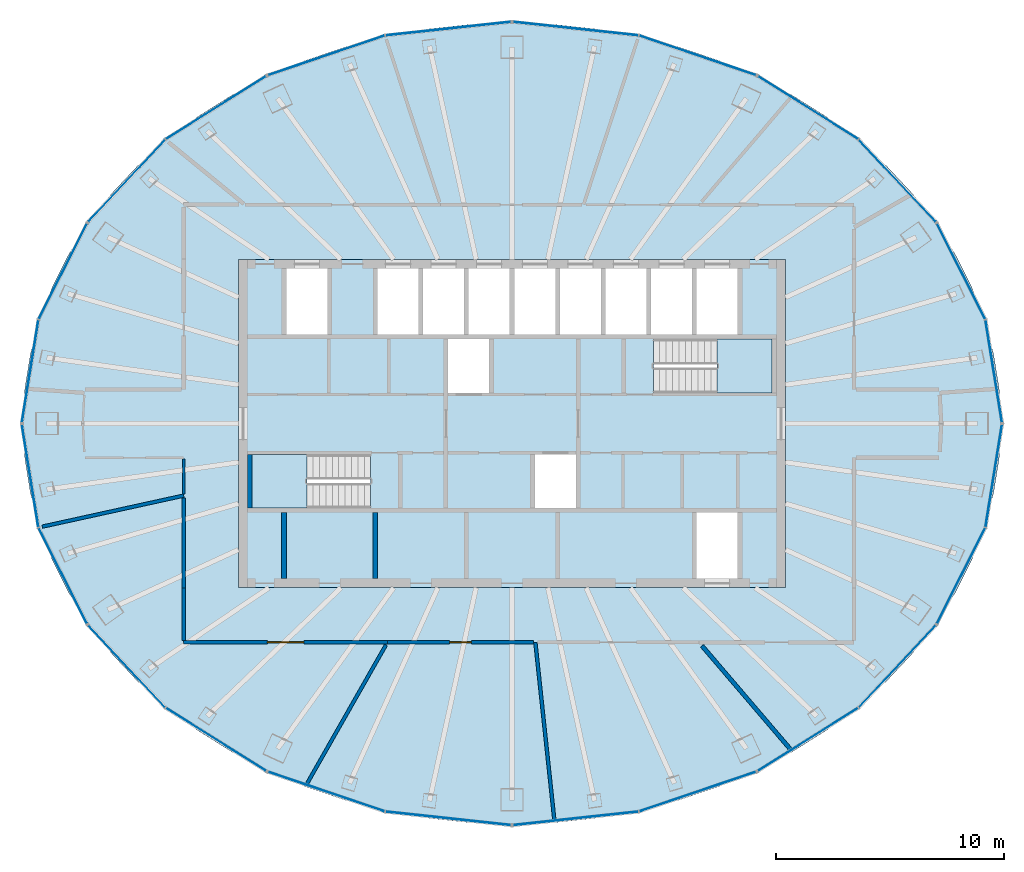
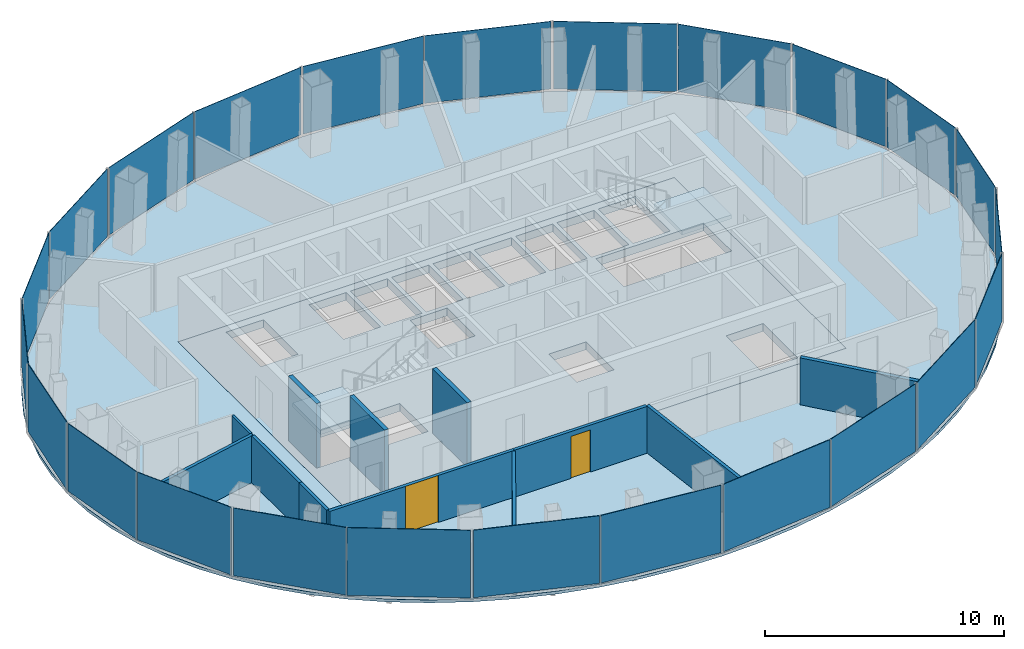
# One storey, part 8 of 12: 24 plates, 12 walls, 4 slabs, 2 doors, 2 openings, 14 elements without a shape of their own.
"""IFC4 building model written with IfcOpenShell, lengths in metres."""

from ifc_helpers import new_model, si_unit, direction, frame, frame_2d, origin, origin_2d, place, context, subcontext, project, spatial, polyline, rectangle, outline, extrude, material, layer, layer_set, type_object, element, fill, aggregate, save


model = new_model("IFC4")

# Units and contexts
model_context = context("Model", 3, precision=1e-05, world=origin(), true_north=direction((0.0, 1.0)))
body_context = subcontext(model_context, "Body", "Model", "MODEL_VIEW")
ifc_project = project(units=[si_unit("LENGTHUNIT", "METRE"), si_unit("AREAUNIT", "SQUARE_METRE"), si_unit("VOLUMEUNIT", "CUBIC_METRE"), si_unit("PLANEANGLEUNIT", "RADIAN"), si_unit("MASSUNIT", "GRAM", prefix="KILO")], contexts=[model_context])

# Site, building, storey
site_placement = place(None, origin())
site = spatial("IfcSite", under=ifc_project, at=site_placement, CompositionType="ELEMENT")
building_placement = place(site_placement, origin())
building = spatial("IfcBuilding", under=site, at=building_placement, Name="Siaravel Broadcast Tower", CompositionType="ELEMENT")
storey_placement = place(building_placement, frame((0.0, 0.0, 231.89990234375)))
storey = spatial("IfcBuildingStorey", under=building, at=storey_placement, Name="L56", CompositionType="ELEMENT", Elevation=231.89990234375)

# Curtain wall, plates
ifc_material_1 = material(Name="Aluminium 6063-T6", Category="aluminium")
ifc_layer_1 = layer(ifc_material_1, 0.159912109375)
ifc_layer_set_1 = layer_set([ifc_layer_1], Name="Aluminium 6063-T6")
curtain_wall_type = type_object("IfcCurtainWallType", Name="Unitised curtain wall, zone 4", PredefinedType="NOTDEFINED", material=ifc_layer_set_1)
curtain_wall_1_placement = place(storey_placement, origin())
curtain_wall_1 = element("IfcCurtainWall", 1, at=curtain_wall_1_placement, inside=storey, type_object=curtain_wall_type, Name="L56 Unitised curtain wall, zone 4 01", PredefinedType="NOTDEFINED")
ifc_material_2 = material(Name="Tinted insulated glass", Category="glass")
ifc_layer_2 = layer(ifc_material_2, 0.02587890625)
ifc_layer_set_2 = layer_set([ifc_layer_2], Name="Tinted insulated glass")
plate_type = type_object("IfcPlateType", Name="CW-Z4 glass panel", PredefinedType="CURTAIN_PANEL", material=ifc_layer_set_2)
plate_1_placement = place(storey_placement, frame((21.133056640625, 2.29541015625, 0.090087890625), z_axis=(0.0, 0.0, 1.0), x_axis=(-0.158684841, 0.987329287, 0.0)))
plate_1 = element("IfcPlate", 2, at=plate_1_placement, type_object=plate_type, Name="CW-Z4 glass panel", PredefinedType="CURTAIN_PANEL", context=body_context, shape_type="SweptSolid", body=[
    extrude(rectangle(XDim=4.53955078125, YDim=0.02587890625, at=origin_2d()), origin(), (0.0, 0.0, 1.0), 3.4599609375),
])
plate_2_placement = place(storey_placement, frame((19.699951171875, 6.6767578125, 0.090087890625), z_axis=(0.0, 0.0, 1.0), x_axis=(-0.451259489, 0.89239278, 0.0)))
plate_2 = element("IfcPlate", 3, at=plate_2_placement, type_object=plate_type, Name="CW-Z4 glass panel", PredefinedType="CURTAIN_PANEL", context=body_context, shape_type="SweptSolid", body=[
    extrude(rectangle(XDim=4.681396484375, YDim=0.02587890625, at=origin_2d()), origin(), (0.0, 0.0, 1.0), 3.4599609375),
])
aggregate(curtain_wall_1, [plate_1, plate_2])

curtain_wall_2_placement = place(storey_placement, origin())
curtain_wall_2 = element("IfcCurtainWall", 4, at=curtain_wall_2_placement, inside=storey, type_object=curtain_wall_type, Name="L56 Unitised curtain wall, zone 4 02", PredefinedType="NOTDEFINED")
plate_3_placement = place(storey_placement, frame((16.900390625, 10.649169921875, 0.090087890625), z_axis=(0.0, 0.0, 1.0), x_axis=(-0.683653927, 0.72980635, 0.0)))
plate_3 = element("IfcPlate", 5, at=plate_3_placement, type_object=plate_type, Name="CW-Z4 glass panel", PredefinedType="CURTAIN_PANEL", context=body_context, shape_type="SweptSolid", body=[
    extrude(rectangle(XDim=4.91748046875, YDim=0.02587890625, at=origin_2d()), origin(), (0.0, 0.0, 1.0), 3.4599609375),
])
plate_4_placement = place(storey_placement, frame((12.985595703125, 13.855712890625, 0.090087890625), z_axis=(0.0, 0.0, 1.0), x_axis=(-0.846649907, 0.532150293, 0.0)))
plate_4 = element("IfcPlate", 6, at=plate_4_placement, type_object=plate_type, Name="CW-Z4 glass panel", PredefinedType="CURTAIN_PANEL", context=body_context, shape_type="SweptSolid", body=[
    extrude(rectangle(XDim=5.17724609375, YDim=0.02587890625, at=origin_2d()), origin(), (0.0, 0.0, 1.0), 3.4599609375),
])
aggregate(curtain_wall_2, [plate_3, plate_4])

curtain_wall_3_placement = place(storey_placement, origin())
curtain_wall_3 = element("IfcCurtainWall", 7, at=curtain_wall_3_placement, inside=storey, type_object=curtain_wall_type, Name="L56 Unitised curtain wall, zone 4 03", PredefinedType="NOTDEFINED")
plate_5_placement = place(storey_placement, frame((8.14208984375, 16.146484375, 0.090087890625), z_axis=(0.0, 0.0, 1.0), x_axis=(-0.946977002, 0.321301352, 0.0)))
plate_5 = element("IfcPlate", 8, at=plate_5_placement, type_object=plate_type, Name="CW-Z4 glass panel", PredefinedType="CURTAIN_PANEL", context=body_context, shape_type="SweptSolid", body=[
    extrude(rectangle(XDim=5.392333984375, YDim=0.02587890625, at=origin_2d()), origin(), (0.0, 0.0, 1.0), 3.4599609375),
])
plate_6_placement = place(storey_placement, frame((2.795166015625, 17.3203125, 0.090087890625), z_axis=(0.0, 0.0, 1.0), x_axis=(-0.994235563, 0.107217743, 0.0)))
plate_6 = element("IfcPlate", 9, at=plate_6_placement, type_object=plate_type, Name="CW-Z4 glass panel", PredefinedType="CURTAIN_PANEL", context=body_context, shape_type="SweptSolid", body=[
    extrude(rectangle(XDim=5.5126953125, YDim=0.02587890625, at=origin_2d()), origin(), (0.0, 0.0, 1.0), 3.4599609375),
])
aggregate(curtain_wall_3, [plate_5, plate_6])

curtain_wall_4_placement = place(storey_placement, origin())
curtain_wall_4 = element("IfcCurtainWall", 10, at=curtain_wall_4_placement, inside=storey, type_object=curtain_wall_type, Name="L56 Unitised curtain wall, zone 4 04", PredefinedType="NOTDEFINED")
plate_7_placement = place(storey_placement, frame((-2.795166015625, 17.3203125, 0.090087890625), z_axis=(0.0, 0.0, 1.0), x_axis=(-0.994235563, -0.107217743, 0.0)))
plate_7 = element("IfcPlate", 11, at=plate_7_placement, type_object=plate_type, Name="CW-Z4 glass panel", PredefinedType="CURTAIN_PANEL", context=body_context, shape_type="SweptSolid", body=[
    extrude(rectangle(XDim=5.5126953125, YDim=0.02587890625, at=origin_2d()), origin(), (0.0, 0.0, 1.0), 3.4599609375),
])
plate_8_placement = place(storey_placement, frame((-8.14208984375, 16.146484375, 0.090087890625), z_axis=(0.0, 0.0, 1.0), x_axis=(-0.946977002, -0.321301352, 0.0)))
plate_8 = element("IfcPlate", 12, at=plate_8_placement, type_object=plate_type, Name="CW-Z4 glass panel", PredefinedType="CURTAIN_PANEL", context=body_context, shape_type="SweptSolid", body=[
    extrude(rectangle(XDim=5.392333984375, YDim=0.02587890625, at=origin_2d()), origin(), (0.0, 0.0, 1.0), 3.4599609375),
])
aggregate(curtain_wall_4, [plate_7, plate_8])

curtain_wall_5_placement = place(storey_placement, origin())
curtain_wall_5 = element("IfcCurtainWall", 13, at=curtain_wall_5_placement, inside=storey, type_object=curtain_wall_type, Name="L56 Unitised curtain wall, zone 4 05", PredefinedType="NOTDEFINED")
plate_9_placement = place(storey_placement, frame((-12.985595703125, 13.855712890625, 0.090087890625), z_axis=(0.0, 0.0, 1.0), x_axis=(-0.846649907, -0.532150293, 0.0)))
plate_9 = element("IfcPlate", 14, at=plate_9_placement, type_object=plate_type, Name="CW-Z4 glass panel", PredefinedType="CURTAIN_PANEL", context=body_context, shape_type="SweptSolid", body=[
    extrude(rectangle(XDim=5.17724609375, YDim=0.02587890625, at=origin_2d()), origin(), (0.0, 0.0, 1.0), 3.4599609375),
])
plate_10_placement = place(storey_placement, frame((-16.900390625, 10.649169921875, 0.090087890625), z_axis=(0.0, 0.0, 1.0), x_axis=(-0.683653927, -0.72980635, 0.0)))
plate_10 = element("IfcPlate", 15, at=plate_10_placement, type_object=plate_type, Name="CW-Z4 glass panel", PredefinedType="CURTAIN_PANEL", context=body_context, shape_type="SweptSolid", body=[
    extrude(rectangle(XDim=4.91748046875, YDim=0.02587890625, at=origin_2d()), origin(), (0.0, 0.0, 1.0), 3.4599609375),
])
aggregate(curtain_wall_5, [plate_9, plate_10])

curtain_wall_6_placement = place(storey_placement, origin())
curtain_wall_6 = element("IfcCurtainWall", 16, at=curtain_wall_6_placement, inside=storey, type_object=curtain_wall_type, Name="L56 Unitised curtain wall, zone 4 06", PredefinedType="NOTDEFINED")
plate_11_placement = place(storey_placement, frame((-19.699951171875, 6.6767578125, 0.090087890625), z_axis=(0.0, 0.0, 1.0), x_axis=(-0.451259489, -0.89239278, 0.0)))
plate_11 = element("IfcPlate", 17, at=plate_11_placement, type_object=plate_type, Name="CW-Z4 glass panel", PredefinedType="CURTAIN_PANEL", context=body_context, shape_type="SweptSolid", body=[
    extrude(rectangle(XDim=4.681396484375, YDim=0.02587890625, at=origin_2d()), origin(), (0.0, 0.0, 1.0), 3.4599609375),
])
plate_12_placement = place(storey_placement, frame((-21.133056640625, 2.29541015625, 0.090087890625), z_axis=(0.0, 0.0, 1.0), x_axis=(-0.158684841, -0.987329287, 0.0)))
plate_12 = element("IfcPlate", 18, at=plate_12_placement, type_object=plate_type, Name="CW-Z4 glass panel", PredefinedType="CURTAIN_PANEL", context=body_context, shape_type="SweptSolid", body=[
    extrude(rectangle(XDim=4.53955078125, YDim=0.02587890625, at=origin_2d()), origin(), (0.0, 0.0, 1.0), 3.4599609375),
])
aggregate(curtain_wall_6, [plate_11, plate_12])

curtain_wall_7_placement = place(storey_placement, origin())
curtain_wall_7 = element("IfcCurtainWall", 19, at=curtain_wall_7_placement, inside=storey, type_object=curtain_wall_type, Name="L56 Unitised curtain wall, zone 4 07", PredefinedType="NOTDEFINED")
plate_13_placement = place(storey_placement, frame((-21.133056640625, -2.29541015625, 0.090087890625), z_axis=(0.0, 0.0, 1.0), x_axis=(0.158684841, -0.987329287, 0.0)))
plate_13 = element("IfcPlate", 20, at=plate_13_placement, type_object=plate_type, Name="CW-Z4 glass panel", PredefinedType="CURTAIN_PANEL", context=body_context, shape_type="SweptSolid", body=[
    extrude(rectangle(XDim=4.53955078125, YDim=0.02587890625, at=origin_2d()), origin(), (0.0, 0.0, 1.0), 3.4599609375),
])
plate_14_placement = place(storey_placement, frame((-19.699951171875, -6.6767578125, 0.090087890625), z_axis=(0.0, 0.0, 1.0), x_axis=(0.451259489, -0.89239278, 0.0)))
plate_14 = element("IfcPlate", 21, at=plate_14_placement, type_object=plate_type, Name="CW-Z4 glass panel", PredefinedType="CURTAIN_PANEL", context=body_context, shape_type="SweptSolid", body=[
    extrude(rectangle(XDim=4.681396484375, YDim=0.02587890625, at=origin_2d()), origin(), (0.0, 0.0, 1.0), 3.4599609375),
])
aggregate(curtain_wall_7, [plate_13, plate_14])

curtain_wall_8_placement = place(storey_placement, origin())
curtain_wall_8 = element("IfcCurtainWall", 22, at=curtain_wall_8_placement, inside=storey, type_object=curtain_wall_type, Name="L56 Unitised curtain wall, zone 4 08", PredefinedType="NOTDEFINED")
plate_15_placement = place(storey_placement, frame((-16.900390625, -10.649169921875, 0.090087890625), z_axis=(0.0, 0.0, 1.0), x_axis=(0.683653927, -0.72980635, 0.0)))
plate_15 = element("IfcPlate", 23, at=plate_15_placement, type_object=plate_type, Name="CW-Z4 glass panel", PredefinedType="CURTAIN_PANEL", context=body_context, shape_type="SweptSolid", body=[
    extrude(rectangle(XDim=4.91748046875, YDim=0.02587890625, at=origin_2d()), origin(), (0.0, 0.0, 1.0), 3.4599609375),
])
plate_16_placement = place(storey_placement, frame((-12.985595703125, -13.855712890625, 0.090087890625), z_axis=(0.0, 0.0, 1.0), x_axis=(0.846649907, -0.532150293, 0.0)))
plate_16 = element("IfcPlate", 24, at=plate_16_placement, type_object=plate_type, Name="CW-Z4 glass panel", PredefinedType="CURTAIN_PANEL", context=body_context, shape_type="SweptSolid", body=[
    extrude(rectangle(XDim=5.17724609375, YDim=0.02587890625, at=origin_2d()), origin(), (0.0, 0.0, 1.0), 3.4599609375),
])
aggregate(curtain_wall_8, [plate_15, plate_16])

curtain_wall_9_placement = place(storey_placement, origin())
curtain_wall_9 = element("IfcCurtainWall", 25, at=curtain_wall_9_placement, inside=storey, type_object=curtain_wall_type, Name="L56 Unitised curtain wall, zone 4 09", PredefinedType="NOTDEFINED")
plate_17_placement = place(storey_placement, frame((-8.14208984375, -16.146484375, 0.090087890625), z_axis=(0.0, 0.0, 1.0), x_axis=(0.946977002, -0.321301352, 0.0)))
plate_17 = element("IfcPlate", 26, at=plate_17_placement, type_object=plate_type, Name="CW-Z4 glass panel", PredefinedType="CURTAIN_PANEL", context=body_context, shape_type="SweptSolid", body=[
    extrude(rectangle(XDim=5.392333984375, YDim=0.02587890625, at=origin_2d()), origin(), (0.0, 0.0, 1.0), 3.4599609375),
])
plate_18_placement = place(storey_placement, frame((-2.795166015625, -17.3203125, 0.090087890625), z_axis=(0.0, 0.0, 1.0), x_axis=(0.994235563, -0.107217743, 0.0)))
plate_18 = element("IfcPlate", 27, at=plate_18_placement, type_object=plate_type, Name="CW-Z4 glass panel", PredefinedType="CURTAIN_PANEL", context=body_context, shape_type="SweptSolid", body=[
    extrude(rectangle(XDim=5.5126953125, YDim=0.02587890625, at=origin_2d()), origin(), (0.0, 0.0, 1.0), 3.4599609375),
])
aggregate(curtain_wall_9, [plate_17, plate_18])

curtain_wall_10_placement = place(storey_placement, origin())
curtain_wall_10 = element("IfcCurtainWall", 28, at=curtain_wall_10_placement, inside=storey, type_object=curtain_wall_type, Name="L56 Unitised curtain wall, zone 4 10", PredefinedType="NOTDEFINED")
plate_19_placement = place(storey_placement, frame((2.795166015625, -17.3203125, 0.090087890625), z_axis=(0.0, 0.0, 1.0), x_axis=(0.994235563, 0.107217743, 0.0)))
plate_19 = element("IfcPlate", 29, at=plate_19_placement, type_object=plate_type, Name="CW-Z4 glass panel", PredefinedType="CURTAIN_PANEL", context=body_context, shape_type="SweptSolid", body=[
    extrude(rectangle(XDim=5.5126953125, YDim=0.02587890625, at=origin_2d()), origin(), (0.0, 0.0, 1.0), 3.4599609375),
])
plate_20_placement = place(storey_placement, frame((8.14208984375, -16.146484375, 0.090087890625), z_axis=(0.0, 0.0, 1.0), x_axis=(0.946977002, 0.321301352, 0.0)))
plate_20 = element("IfcPlate", 30, at=plate_20_placement, type_object=plate_type, Name="CW-Z4 glass panel", PredefinedType="CURTAIN_PANEL", context=body_context, shape_type="SweptSolid", body=[
    extrude(rectangle(XDim=5.392333984375, YDim=0.02587890625, at=origin_2d()), origin(), (0.0, 0.0, 1.0), 3.4599609375),
])
aggregate(curtain_wall_10, [plate_19, plate_20])

curtain_wall_11_placement = place(storey_placement, origin())
curtain_wall_11 = element("IfcCurtainWall", 31, at=curtain_wall_11_placement, inside=storey, type_object=curtain_wall_type, Name="L56 Unitised curtain wall, zone 4 11", PredefinedType="NOTDEFINED")
plate_21_placement = place(storey_placement, frame((12.985595703125, -13.855712890625, 0.090087890625), z_axis=(0.0, 0.0, 1.0), x_axis=(0.846649907, 0.532150293, 0.0)))
plate_21 = element("IfcPlate", 32, at=plate_21_placement, type_object=plate_type, Name="CW-Z4 glass panel", PredefinedType="CURTAIN_PANEL", context=body_context, shape_type="SweptSolid", body=[
    extrude(rectangle(XDim=5.17724609375, YDim=0.02587890625, at=origin_2d()), origin(), (0.0, 0.0, 1.0), 3.4599609375),
])
plate_22_placement = place(storey_placement, frame((16.900390625, -10.649169921875, 0.090087890625), z_axis=(0.0, 0.0, 1.0), x_axis=(0.683653927, 0.72980635, 0.0)))
plate_22 = element("IfcPlate", 33, at=plate_22_placement, type_object=plate_type, Name="CW-Z4 glass panel", PredefinedType="CURTAIN_PANEL", context=body_context, shape_type="SweptSolid", body=[
    extrude(rectangle(XDim=4.91748046875, YDim=0.02587890625, at=origin_2d()), origin(), (0.0, 0.0, 1.0), 3.4599609375),
])
aggregate(curtain_wall_11, [plate_21, plate_22])

curtain_wall_12_placement = place(storey_placement, origin())
curtain_wall_12 = element("IfcCurtainWall", 34, at=curtain_wall_12_placement, inside=storey, type_object=curtain_wall_type, Name="L56 Unitised curtain wall, zone 4 12", PredefinedType="NOTDEFINED")
plate_23_placement = place(storey_placement, frame((19.699951171875, -6.6767578125, 0.090087890625), z_axis=(0.0, 0.0, 1.0), x_axis=(0.451259489, 0.89239278, 0.0)))
plate_23 = element("IfcPlate", 35, at=plate_23_placement, type_object=plate_type, Name="CW-Z4 glass panel", PredefinedType="CURTAIN_PANEL", context=body_context, shape_type="SweptSolid", body=[
    extrude(rectangle(XDim=4.681396484375, YDim=0.02587890625, at=origin_2d()), origin(), (0.0, 0.0, 1.0), 3.4599609375),
])
plate_24_placement = place(storey_placement, frame((21.133056640625, -2.29541015625, 0.090087890625), z_axis=(0.0, 0.0, 1.0), x_axis=(0.158684841, 0.987329287, 0.0)))
plate_24 = element("IfcPlate", 36, at=plate_24_placement, type_object=plate_type, Name="CW-Z4 glass panel", PredefinedType="CURTAIN_PANEL", context=body_context, shape_type="SweptSolid", body=[
    extrude(rectangle(XDim=4.53955078125, YDim=0.02587890625, at=origin_2d()), origin(), (0.0, 0.0, 1.0), 3.4599609375),
])
aggregate(curtain_wall_12, [plate_23, plate_24])

# Slabs
ifc_material_3 = material(Name="Concrete C40/50", Category="concrete")
ifc_layer_3 = layer(ifc_material_3, 0.39990234375)
ifc_layer_set_3 = layer_set([ifc_layer_3], Name="Concrete C40/50")
slab_type_1 = type_object("IfcSlabType", Name="Core floor slab 400", PredefinedType="FLOOR", material=ifc_layer_set_3)
slab_1_placement = place(storey_placement, frame((0.0, 0.0, -0.39990234375)))
element("IfcSlab", 37, at=slab_1_placement, inside=storey, type_object=slab_type_1, Name="L56 core floor", PredefinedType="FLOOR", context=body_context, shape_type="SweptSolid", body=[
    extrude(outline(polyline([(-12.0, -7.199951171875), (-12.0, 7.199951171875), (12.0, 7.199951171875), (12.0, -7.199951171875), (-12.0, -7.199951171875)]), holes=[polyline([(11.3994140625, 1.3505859375), (11.3994140625, 3.699462890625), (6.200439453125, 3.699462890625), (6.200439453125, 1.3505859375), (11.3994140625, 1.3505859375)]), polyline([(8.10009765625, -3.89990234375), (8.10009765625, -6.800048828125), (9.89990234375, -6.800048828125), (9.89990234375, -3.89990234375), (8.10009765625, -3.89990234375)]), polyline([(9.89990234375, 6.800048828125), (8.10009765625, 6.800048828125), (8.10009765625, 3.89990234375), (9.89990234375, 3.89990234375), (9.89990234375, 6.800048828125)]), polyline([(7.89990234375, 6.800048828125), (6.10009765625, 6.800048828125), (6.10009765625, 3.89990234375), (7.89990234375, 3.89990234375), (7.89990234375, 6.800048828125)]), polyline([(5.89990234375, 6.800048828125), (4.10009765625, 6.800048828125), (4.10009765625, 3.89990234375), (5.89990234375, 3.89990234375), (5.89990234375, 6.800048828125)]), polyline([(3.89990234375, 6.800048828125), (2.10009765625, 6.800048828125), (2.10009765625, 3.89990234375), (3.89990234375, 3.89990234375), (3.89990234375, 6.800048828125)]), polyline([(2.800048828125, -1.35009765625), (1.0, -1.35009765625), (1.0, -3.699951171875), (2.800048828125, -3.699951171875), (2.800048828125, -1.35009765625)]), polyline([(1.89990234375, 6.800048828125), (0.10009765625, 6.800048828125), (0.10009765625, 3.89990234375), (1.89990234375, 3.89990234375), (1.89990234375, 6.800048828125)]), polyline([(-0.10009765625, 6.800048828125), (-1.89990234375, 6.800048828125), (-1.89990234375, 3.89990234375), (-0.10009765625, 3.89990234375), (-0.10009765625, 6.800048828125)]), polyline([(-1.0, 3.699951171875), (-2.800048828125, 3.699951171875), (-2.800048828125, 1.35009765625), (-1.0, 1.35009765625), (-1.0, 3.699951171875)]), polyline([(-2.10009765625, 6.800048828125), (-3.89990234375, 6.800048828125), (-3.89990234375, 3.89990234375), (-2.10009765625, 3.89990234375), (-2.10009765625, 6.800048828125)]), polyline([(-4.10009765625, 6.800048828125), (-5.89990234375, 6.800048828125), (-5.89990234375, 3.89990234375), (-4.10009765625, 3.89990234375), (-4.10009765625, 6.800048828125)]), polyline([(-11.3994140625, -3.699462890625), (-6.200439453125, -3.699462890625), (-6.200439453125, -1.3505859375), (-11.3994140625, -1.3505859375), (-11.3994140625, -3.699462890625)]), polyline([(-8.10009765625, 6.800048828125), (-9.89990234375, 6.800048828125), (-9.89990234375, 3.89990234375), (-8.10009765625, 3.89990234375), (-8.10009765625, 6.800048828125)])]), origin(), (0.0, 0.0, 1.0), 0.39990234375),
])
ifc_layer_4 = layer(ifc_material_3, 0.14990234375)
ifc_layer_set_4 = layer_set([ifc_layer_4], Name="Concrete C40/50")
slab_type_2 = type_object("IfcSlabType", Name="SLB-FLOOR-150", PredefinedType="FLOOR", material=ifc_layer_set_4)
slab_2_placement = place(storey_placement, frame((0.0, 0.0, -0.14990234375)))
element("IfcSlab", 38, at=slab_2_placement, inside=storey, type_object=slab_type_2, Name="Floor slab", PredefinedType="FLOOR", context=body_context, shape_type="SweptSolid", body=[
    extrude(outline(polyline([(21.451904296875, 0.0), (21.370361328125, 1.531494140625), (21.126220703125, 3.05126953125), (20.720947265625, 4.5478515625), (20.158203125, 6.009765625), (19.442138671875, 7.426025390625), (18.577880859375, 8.785888671875), (17.572509765625, 10.07861328125), (16.43310546875, 11.294921875), (15.1689453125, 12.425048828125), (13.7890625, 13.460693359375), (12.304443359375, 14.393798828125), (10.72607421875, 15.217529296875), (9.06591796875, 15.92529296875), (7.3369140625, 16.511962890625), (5.55224609375, 16.972900390625), (3.72509765625, 17.3046875), (1.86962890625, 17.504638671875), (0.0, 17.571533203125), (-1.86962890625, 17.504638671875), (-3.72509765625, 17.3046875), (-5.55224609375, 16.972900390625), (-7.3369140625, 16.511962890625), (-9.06591796875, 15.92529296875), (-10.72607421875, 15.217529296875), (-12.304443359375, 14.393798828125), (-13.7890625, 13.460693359375), (-15.1689453125, 12.425048828125), (-16.43310546875, 11.294921875), (-17.572509765625, 10.07861328125), (-18.577880859375, 8.785888671875), (-19.442138671875, 7.426025390625), (-20.158203125, 6.009765625), (-20.720947265625, 4.5478515625), (-21.126220703125, 3.05126953125), (-21.370361328125, 1.531494140625), (-21.451904296875, 0.0), (-21.370361328125, -1.531494140625), (-21.126220703125, -3.05126953125), (-20.720947265625, -4.5478515625), (-20.158203125, -6.009765625), (-19.442138671875, -7.426025390625), (-18.577880859375, -8.785888671875), (-17.572509765625, -10.07861328125), (-16.43310546875, -11.294921875), (-15.1689453125, -12.425048828125), (-13.7890625, -13.460693359375), (-12.304443359375, -14.393798828125), (-10.72607421875, -15.217529296875), (-9.06591796875, -15.92529296875), (-7.3369140625, -16.511962890625), (-5.55224609375, -16.972900390625), (-3.72509765625, -17.3046875), (-1.86962890625, -17.504638671875), (0.0, -17.571533203125), (1.86962890625, -17.504638671875), (3.72509765625, -17.3046875), (5.55224609375, -16.972900390625), (7.3369140625, -16.511962890625), (9.06591796875, -15.92529296875), (10.72607421875, -15.217529296875), (12.304443359375, -14.393798828125), (13.7890625, -13.460693359375), (15.1689453125, -12.425048828125), (16.43310546875, -11.294921875), (17.572509765625, -10.07861328125), (18.577880859375, -8.785888671875), (19.442138671875, -7.426025390625), (20.158203125, -6.009765625), (20.720947265625, -4.5478515625), (21.126220703125, -3.05126953125), (21.370361328125, -1.531494140625), (21.451904296875, 0.0)]), holes=[polyline([(-12.0, 7.199951171875), (12.0, 7.199951171875), (12.0, -7.199951171875), (-12.0, -7.199951171875), (-12.0, 7.199951171875)])]), origin(), (0.0, 0.0, 1.0), 0.14990234375),
])

# Stair, slab
stair_type = type_object("IfcStairType", Name="Core exit stair", PredefinedType="HALF_TURN_STAIR", material=ifc_material_3)
stair_1_placement = place(storey_placement, origin())
stair_1 = element("IfcStair", 39, at=stair_1_placement, inside=storey, type_object=stair_type, Name="L56 Exit stair ST-1", PredefinedType="HALF_TURN_STAIR")
ifc_layer_5 = layer(ifc_material_3, 0.199951171875)
ifc_layer_set_5 = layer_set([ifc_layer_5], Name="Concrete C40/50")
slab_type_3 = type_object("IfcSlabType", Name="Stair landing", PredefinedType="LANDING", material=ifc_layer_set_5)
slab_3_placement = place(storey_placement, frame((0.0, 0.0, 1.650146484375)))
slab_3 = element("IfcSlab", 40, at=slab_3_placement, type_object=slab_type_3, Name="ST-1 landing 1", PredefinedType="LANDING", context=body_context, shape_type="SweptSolid", body=[
    extrude(outline(polyline([(-9.0, -1.35009765625), (-11.39990234375, -1.35009765625), (-11.39990234375, -3.699951171875), (-9.0, -3.699951171875), (-9.0, -1.35009765625)])), origin(), (0.0, 0.0, 1.0), 0.199951171875),
])
aggregate(stair_1, [slab_3])

stair_2_placement = place(storey_placement, origin())
stair_2 = element("IfcStair", 41, at=stair_2_placement, inside=storey, type_object=stair_type, Name="L56 Exit stair ST-2", PredefinedType="HALF_TURN_STAIR")
slab_4_placement = place(storey_placement, frame((0.0, 0.0, 1.650146484375)))
slab_4 = element("IfcSlab", 42, at=slab_4_placement, type_object=slab_type_3, Name="ST-2 landing 1", PredefinedType="LANDING", context=body_context, shape_type="SweptSolid", body=[
    extrude(outline(polyline([(9.0, 1.35009765625), (11.39990234375, 1.35009765625), (11.39990234375, 3.699951171875), (9.0, 3.699951171875), (9.0, 1.35009765625)])), origin(), (0.0, 0.0, 1.0), 0.199951171875),
])
aggregate(stair_2, [slab_4])

# Wall
ifc_material_4 = material(Name="Concrete blockwork", Category="masonry")
ifc_layer_6 = layer(ifc_material_4, 0.199951171875)
ifc_layer_set_6 = layer_set([ifc_layer_6], Name="Concrete blockwork")
wall_type_1 = type_object("IfcWallType", Name="Core partition 200", PredefinedType="PARTITIONING", material=ifc_layer_set_6)
wall_1_placement = place(storey_placement, frame((-6.0, -6.800048828125, 0.0), z_axis=(0.0, 0.0, 1.0), x_axis=(0.0, 1.0, 0.0)))
element("IfcWall", 43, at=wall_1_placement, inside=storey, type_object=wall_type_1, Name="L56 core partition PFS0", PredefinedType="PARTITIONING", context=body_context, shape_type="SweptSolid", body=[
    extrude(rectangle(XDim=2.900146484375, YDim=0.199951171875, at=frame_2d((1.4501953125, 0.0))), origin(), (0.0, 0.0, 1.0), 3.300048828125),
])

# Wall, opening, door
ifc_material_5 = material(Name="Gypsum board partition", Category="gypsum")
ifc_layer_7 = layer(ifc_material_5, 0.14990234375)
ifc_layer_set_7 = layer_set([ifc_layer_7], Name="Gypsum board partition")
wall_type_2 = type_object("IfcWallType", Name="Corridor wall 150", PredefinedType="PARTITIONING", material=ifc_layer_set_7)
wall_2_placement = place(storey_placement, frame((-14.39990234375, -9.60009765625, 0.0), z_axis=(0.0, 0.0, 1.0), x_axis=(1.0, 0.0, 0.0)))
wall_2 = element("IfcWall", 44, at=wall_2_placement, inside=storey, type_object=wall_type_2, Name="L56 partition 1", PredefinedType="PARTITIONING", context=body_context, shape_type="SweptSolid", body=[
    extrude(rectangle(XDim=8.934814453125, YDim=0.14990234375, at=frame_2d((4.46728515625, 0.0))), origin(), (0.0, 0.0, 1.0), 2.400146484375),
])
opening_1_placement = place(wall_2_placement, frame((3.66748046875, 0.0, 0.0)))
opening_1 = element("IfcOpeningElement", 45, at=opening_1_placement, cuts=wall_2, Name="Opening L56-001", PredefinedType="OPENING", context=body_context, shape_type="SweptSolid", body=[
    extrude(rectangle(XDim=1.60009765625, YDim=2.39990234375, at=frame_2d((0.800048828125, 1.199951171875))), frame((0.0, 0.0849609375, 0.0), z_axis=(0.0, -1.0, 0.0), x_axis=(1.0, 0.0, 0.0)), (0.0, 0.0, 1.0), 0.169921875),
])
ifc_material_6 = material(Name="Timber veneer", Category="wood")
door_type_1 = type_object("IfcDoorType", Name="Restaurant double door 1600", OperationType="DOUBLE_DOOR_SINGLE_SWING", PredefinedType="DOOR", material=ifc_material_6)
door_1_placement = place(opening_1_placement, origin())
door_1 = element("IfcDoor", 46, at=door_1_placement, inside=storey, type_object=door_type_1, Name="L56 door to Restaurant", OperationType="DOUBLE_DOOR_SINGLE_SWING", OverallHeight=2.39990234375, OverallWidth=1.60009765625, PredefinedType="DOOR", context=body_context, shape_type="SweptSolid", body=[
    extrude(rectangle(XDim=1.60009765625, YDim=2.39990234375, at=frame_2d((0.800048828125, 1.199951171875))), frame((0.0, 0.02490234375, 0.0), z_axis=(0.0, -1.0, 0.0), x_axis=(1.0, 0.0, 0.0)), (0.0, 0.0, 1.0), 0.050048828125),
])
fill(opening_1, door_1)

wall_3_placement = place(storey_placement, frame((-5.464111328125, -9.60009765625, 0.0), z_axis=(0.0, 0.0, 1.0), x_axis=(1.0, 0.0, 0.0)))
wall_3 = element("IfcWall", 47, at=wall_3_placement, inside=storey, type_object=wall_type_2, Name="L56 partition 10", PredefinedType="PARTITIONING", context=body_context, shape_type="SweptSolid", body=[
    extrude(rectangle(XDim=6.412841796875, YDim=0.14990234375, at=frame_2d((3.20654296875, 0.0))), origin(), (0.0, 0.0, 1.0), 2.400146484375),
])
opening_2_placement = place(wall_3_placement, frame((2.7314453125, 0.0, 0.0)))
opening_2 = element("IfcOpeningElement", 48, at=opening_2_placement, cuts=wall_3, Name="Opening L56-002", PredefinedType="OPENING", context=body_context, shape_type="SweptSolid", body=[
    extrude(rectangle(XDim=0.949951171875, YDim=2.14990234375, at=frame_2d((0.47509765625, 1.074951171875))), frame((0.0, 0.0849609375, 0.0), z_axis=(0.0, -1.0, 0.0), x_axis=(1.0, 0.0, 0.0)), (0.0, 0.0, 1.0), 0.169921875),
])
door_type_2 = type_object("IfcDoorType", Name="Office door 950", OperationType="SINGLE_SWING_LEFT", PredefinedType="DOOR", material=ifc_material_6)
door_2_placement = place(opening_2_placement, origin())
door_2 = element("IfcDoor", 49, at=door_2_placement, inside=storey, type_object=door_type_2, Name="L56 door to Reception", OperationType="SINGLE_SWING_RIGHT", OverallHeight=2.14990234375, OverallWidth=0.949951171875, PredefinedType="DOOR", context=body_context, shape_type="SweptSolid", body=[
    extrude(rectangle(XDim=0.949951171875, YDim=2.14990234375, at=frame_2d((0.47509765625, 1.074951171875))), frame((0.0, 0.02490234375, 0.0), z_axis=(0.0, -1.0, 0.0), x_axis=(1.0, 0.0, 0.0)), (0.0, 0.0, 1.0), 0.050048828125),
])
fill(opening_2, door_2)

# Walls
wall_4_placement = place(storey_placement, frame((-14.39990234375, -3.255859375, 0.0), z_axis=(0.0, 0.0, 1.0), x_axis=(0.0, -1.0, 0.0)))
element("IfcWall", 50, at=wall_4_placement, inside=storey, type_object=wall_type_2, Name="L56 partition 22", PredefinedType="PARTITIONING", context=body_context, shape_type="SweptSolid", body=[
    extrude(rectangle(XDim=3.9560546875, YDim=0.14990234375, at=frame_2d((1.97802734375, 0.0))), origin(), (0.0, 0.0, 1.0), 2.400146484375),
])
wall_5_placement = place(storey_placement, frame((-14.39990234375, -7.212890625, 0.0), z_axis=(0.0, 0.0, 1.0), x_axis=(0.0, -1.0, 0.0)))
element("IfcWall", 51, at=wall_5_placement, inside=storey, type_object=wall_type_2, Name="L56 partition 29", PredefinedType="PARTITIONING", context=body_context, shape_type="SweptSolid", body=[
    extrude(rectangle(XDim=2.31005859375, YDim=0.14990234375, at=frame_2d((1.155029296875, 0.0))), origin(), (0.0, 0.0, 1.0), 2.400146484375),
])
ifc_material_7 = material(Name="Glazed aluminium partition", Category="aluminium")
ifc_layer_8 = layer(ifc_material_7, 0.10009765625)
ifc_layer_set_8 = layer_set([ifc_layer_8], Name="Glazed aluminium partition")
wall_type_3 = type_object("IfcWallType", Name="Glazed meeting room partition 100", PredefinedType="PARTITIONING", material=ifc_layer_set_8)
wall_6_placement = place(storey_placement, frame((-14.39990234375, -1.552001953125, 0.0), z_axis=(0.0, 0.0, 1.0), x_axis=(0.0, -1.0, 0.0)))
element("IfcWall", 52, at=wall_6_placement, inside=storey, type_object=wall_type_3, Name="L56 partition 32", PredefinedType="PARTITIONING", context=body_context, shape_type="SweptSolid", body=[
    extrude(rectangle(XDim=1.533203125, YDim=0.10009765625, at=frame_2d((0.7666015625, 0.0))), origin(), (0.0, 0.0, 1.0), 2.400146484375),
])
ifc_layer_9 = layer(ifc_material_5, 0.14990234375)
ifc_layer_set_9 = layer_set([ifc_layer_9], Name="Gypsum board partition")
wall_type_4 = type_object("IfcWallType", Name="Room partition 150", PredefinedType="PARTITIONING", material=ifc_layer_set_9)
wall_7_placement = place(storey_placement, frame((1.85693359375, -17.385498046875, 0.0), z_axis=(0.0, 0.0, 1.0), x_axis=(-0.106203924, 0.99434437, 0.0)))
element("IfcWall", 53, at=wall_7_placement, inside=storey, type_object=wall_type_4, Name="L56 partition 3", PredefinedType="PARTITIONING", context=body_context, shape_type="SweptSolid", body=[
    extrude(rectangle(XDim=7.82958984375, YDim=0.14990234375, at=frame_2d((3.914794921875, 0.0))), origin(), (0.0, 0.0, 1.0), 2.400146484375),
])
wall_8_placement = place(storey_placement, frame((-9.005615234375, -15.819091796875, 0.0), z_axis=(0.0, 0.0, 1.0), x_axis=(0.494757339, 0.869031171, 0.0)))
element("IfcWall", 54, at=wall_8_placement, inside=storey, type_object=wall_type_4, Name="L56 partition 7", PredefinedType="PARTITIONING", context=body_context, shape_type="SweptSolid", body=[
    extrude(rectangle(XDim=7.025390625, YDim=0.14990234375, at=frame_2d((3.5126953125, 0.0))), origin(), (0.0, 0.0, 1.0), 2.400146484375),
])
wall_9_placement = place(storey_placement, frame((-14.39990234375, -3.16064453125, 0.0), z_axis=(0.0, 0.0, 1.0), x_axis=(-0.976754355, -0.214361681, 0.0)))
element("IfcWall", 55, at=wall_9_placement, inside=storey, type_object=wall_type_4, Name="L56 partition 11", PredefinedType="PARTITIONING", context=body_context, shape_type="SweptSolid", body=[
    extrude(rectangle(XDim=6.351806640625, YDim=0.14990234375, at=frame_2d((3.17578125, 0.0))), origin(), (0.0, 0.0, 1.0), 2.400146484375),
])
ifc_layer_10 = layer(ifc_material_4, 0.179931640625)
ifc_layer_set_10 = layer_set([ifc_layer_10], Name="Concrete blockwork")
wall_type_5 = type_object("IfcWallType", Name="Service room fire partition 180", PredefinedType="PARTITIONING", material=ifc_layer_set_10)
wall_10_placement = place(storey_placement, frame((12.2255859375, -14.3017578125, 0.0), z_axis=(0.0, 0.0, 1.0), x_axis=(-0.649766711, 0.760133686, 0.0)))
element("IfcWall", 56, at=wall_10_placement, inside=storey, type_object=wall_type_5, Name="L56 partition 13", PredefinedType="PARTITIONING", context=body_context, shape_type="SweptSolid", body=[
    extrude(rectangle(XDim=5.988037109375, YDim=0.179931640625, at=frame_2d((2.994140625, 0.0))), origin(), (0.0, 0.0, 1.0), 2.400146484375),
])
ifc_material_8 = material(Name="Concrete C60/75", Category="concrete")
ifc_layer_11 = layer(ifc_material_8, 0.199951171875)
ifc_layer_set_11 = layer_set([ifc_layer_11], Name="Concrete C60/75")
wall_type_6 = type_object("IfcWallType", Name="Shaft wall 200", PredefinedType="SHEAR", material=ifc_layer_set_11)
wall_11_placement = place(storey_placement, frame((-10.0, -6.800048828125, 0.0), z_axis=(0.0, 0.0, 1.0), x_axis=(0.0, 1.0, 0.0)))
element("IfcWall", 57, at=wall_11_placement, inside=storey, type_object=wall_type_6, Name="L56 core wall SWS0", PredefinedType="SHEAR", context=body_context, shape_type="SweptSolid", body=[
    extrude(rectangle(XDim=2.900146484375, YDim=0.199951171875, at=frame_2d((1.4501953125, 0.0))), origin(), (0.0, 0.0, 1.0), 3.300048828125),
])
wall_12_placement = place(storey_placement, frame((-11.5, -3.699951171875, 0.0), z_axis=(0.0, 0.0, 1.0), x_axis=(0.0, 1.0, 0.0)))
element("IfcWall", 58, at=wall_12_placement, inside=storey, type_object=wall_type_6, Name="L56 core wall ST1W", PredefinedType="SHEAR", context=body_context, shape_type="SweptSolid", body=[
    extrude(rectangle(XDim=2.349853515625, YDim=0.199951171875, at=frame_2d((1.1748046875, 0.0))), origin(), (0.0, 0.0, 1.0), 3.300048828125),
])

save(model, "model.ifc")
